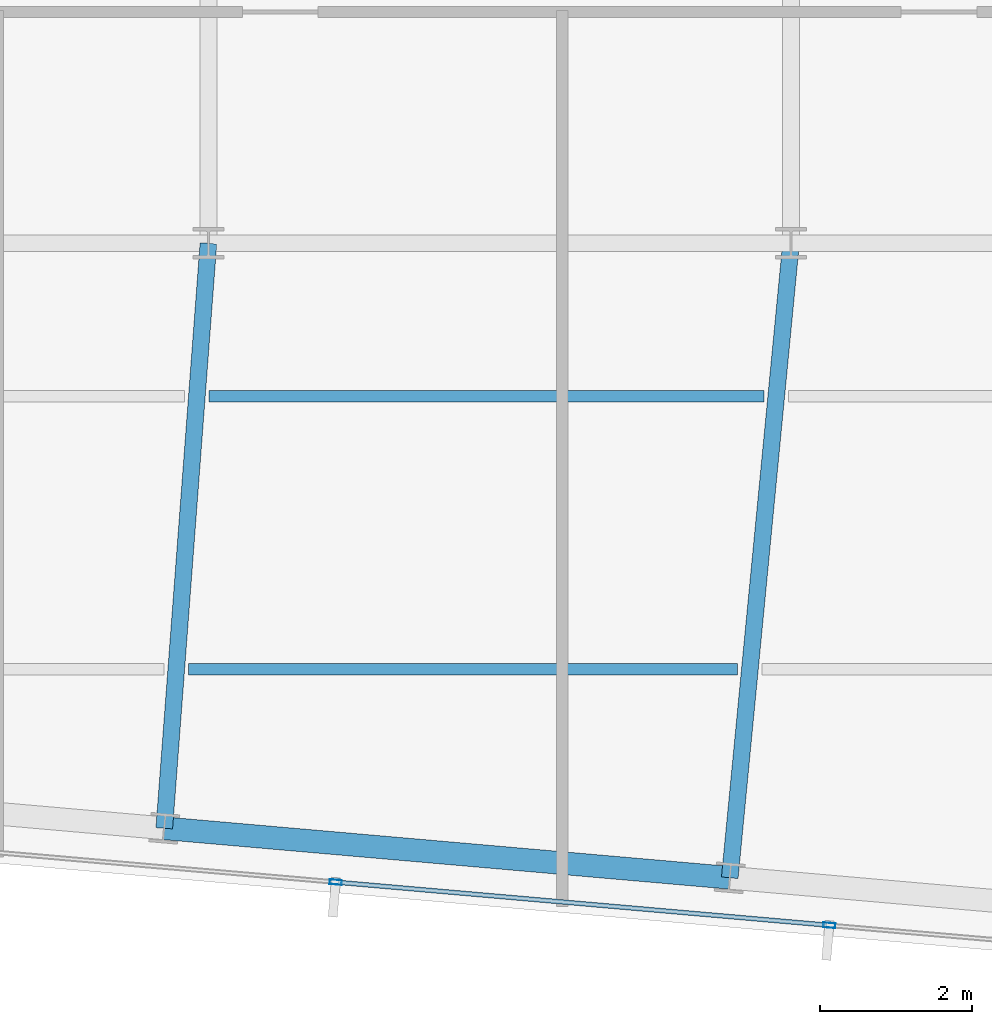
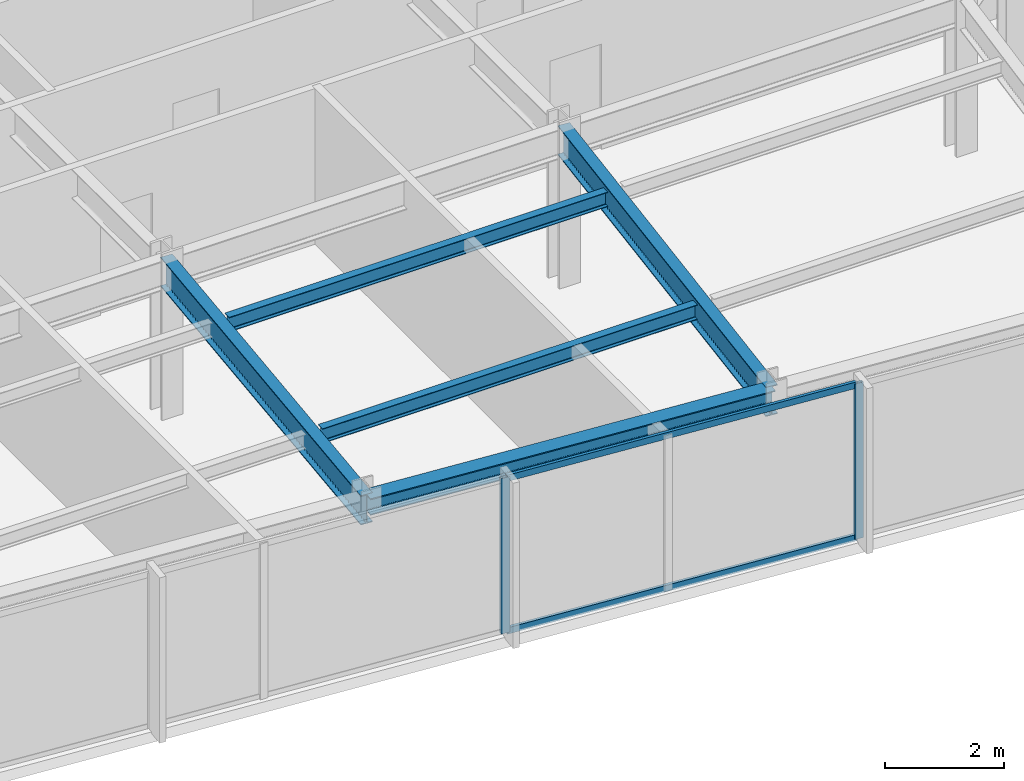
# One storey, part 13 of 32: 5 beams, 4 members, 1 element without a shape of its own.
"""IFC4 building model written with IfcOpenShell, lengths in metres."""

from ifc_helpers import new_model, si_unit, direction, frame, origin, origin_2d, place, context, subcontext, project, spatial, hollow_rectangle, i_section, extrude, material, material_profile, profile_set, type_object, element, aggregate, save


model = new_model("IFC4")

# Units and contexts
model_context = context("Model", 3, precision=1e-05, world=origin(), true_north=direction((0.0, 1.0)))
body_context = subcontext(model_context, "Body", "Model", "MODEL_VIEW")
ifc_project = project(units=[si_unit("LENGTHUNIT", "METRE"), si_unit("AREAUNIT", "SQUARE_METRE"), si_unit("VOLUMEUNIT", "CUBIC_METRE"), si_unit("PLANEANGLEUNIT", "RADIAN"), si_unit("MASSUNIT", "GRAM", prefix="KILO")], contexts=[model_context])

# Site, building, storey
site_placement = place(None, origin())
site = spatial("IfcSite", under=ifc_project, at=site_placement, CompositionType="ELEMENT")
building_placement = place(site_placement, origin())
building = spatial("IfcBuilding", under=site, at=building_placement, Name="Yelkora Congress Tower", CompositionType="ELEMENT")
storey_placement = place(building_placement, frame((0.0, 0.0, 265.89990234375)))
storey = spatial("IfcBuildingStorey", under=building, at=storey_placement, Name="L74", CompositionType="ELEMENT", Elevation=265.89990234375)

# Beams
ifc_material_1 = material(Name="Steel S355J2", Category="steel")
ifc_material_profile_1 = material_profile(ifc_material_1, i_section(OverallWidth=0.219970703125, OverallDepth=0.60009765625, WebThickness=0.011962890625, FlangeThickness=0.01904296875, FilletRadius=0.02392578125, at=origin_2d()), Name="IPE 600")
ifc_profile_set_1 = profile_set([ifc_material_profile_1], Name="Steel S355J2")
beam_type_1 = type_object("IfcBeamType", Name="BM-GIRD-IPE600", PredefinedType="BEAM", material=ifc_profile_set_1)
beam_1_placement = place(storey_placement, frame((37.8173828125, 17.489013671875, 2.880126953125), z_axis=(0.075329932006, 0.997158664077, 0.0), x_axis=(-0.997158664077, 0.075329932006, 0.0)))
element("IfcBeam", 1, at=beam_1_placement, inside=storey, type_object=beam_type_1, Name="L74 Primary Frame Girder S05", PredefinedType="BEAM", context=body_context, shape_type="SweptSolid", body=[
    extrude(i_section(OverallWidth=0.219970703125, OverallDepth=0.60009765625, WebThickness=0.011962890625, FlangeThickness=0.01904296875, FilletRadius=0.02392578125, at=origin_2d()), origin(), (0.0, 0.0, 1.0), 7.73291015625),
])
beam_2_placement = place(storey_placement, frame((45.2724609375, 16.836669921875, 2.880126953125), z_axis=(0.096119896563, 0.995369763196, 0.0), x_axis=(-0.995369763196, 0.096119896563, 0.0)))
element("IfcBeam", 2, at=beam_2_placement, inside=storey, type_object=beam_type_1, Name="L74 Primary Frame Girder S06", PredefinedType="BEAM", context=body_context, shape_type="SweptSolid", body=[
    extrude(i_section(OverallWidth=0.219970703125, OverallDepth=0.60009765625, WebThickness=0.011962890625, FlangeThickness=0.01904296875, FilletRadius=0.02392578125, at=origin_2d()), origin(), (0.0, 0.0, 1.0), 8.402099609375),
])
ifc_material_profile_2 = material_profile(ifc_material_1, i_section(OverallWidth=0.14990234375, OverallDepth=0.300048828125, WebThickness=0.007080078125, FlangeThickness=0.0107421875, FilletRadius=0.014892578125, at=origin_2d()), Name="IPE 300")
ifc_profile_set_2 = profile_set([ifc_material_profile_2], Name="Steel S355J2")
beam_type_2 = type_object("IfcBeamType", Name="BM-JOIST-IPE300", PredefinedType="JOIST", material=ifc_profile_set_2)
beam_3_placement = place(storey_placement, frame((38.1357421875, 19.58447265625, 3.030029296875), z_axis=(1.0, 0.0, 0.0), x_axis=(0.0, 1.0, 0.0)))
element("IfcBeam", 3, at=beam_3_placement, inside=storey, type_object=beam_type_2, Name="L74 Composite Floor Joist 3", PredefinedType="JOIST", context=body_context, shape_type="SweptSolid", body=[
    extrude(i_section(OverallWidth=0.14990234375, OverallDepth=0.300048828125, WebThickness=0.007080078125, FlangeThickness=0.0107421875, FilletRadius=0.014892578125, at=origin_2d()), origin(), (0.0, 0.0, 1.0), 7.241943359375),
])
beam_4_placement = place(storey_placement, frame((38.40771484375, 23.1845703125, 3.030029296875), z_axis=(1.0, 0.0, 0.0), x_axis=(0.0, 1.0, 0.0)))
element("IfcBeam", 4, at=beam_4_placement, inside=storey, type_object=beam_type_2, Name="L74 Composite Floor Joist 7", PredefinedType="JOIST", context=body_context, shape_type="SweptSolid", body=[
    extrude(i_section(OverallWidth=0.14990234375, OverallDepth=0.300048828125, WebThickness=0.007080078125, FlangeThickness=0.0107421875, FilletRadius=0.014892578125, at=origin_2d()), origin(), (0.0, 0.0, 1.0), 7.317626953125),
])
ifc_material_profile_3 = material_profile(ifc_material_1, i_section(OverallWidth=0.300048828125, OverallDepth=0.340087890625, WebThickness=0.011962890625, FlangeThickness=0.021484375, FilletRadius=0.027099609375, at=origin_2d()), Name="HEB 340")
ifc_profile_set_3 = profile_set([ifc_material_profile_3], Name="Steel S355J2")
beam_type_3 = type_object("IfcBeamType", Name="BM-SPAN-HEB340", PredefinedType="SPANDREL", material=ifc_profile_set_3)
beam_5_placement = place(storey_placement, frame((37.8173828125, 17.489013671875, 3.010009765625), z_axis=(0.996193434204, -0.08717018785, 0.0), x_axis=(0.08717018785, 0.996193434204, 0.0)))
element("IfcBeam", 5, at=beam_5_placement, inside=storey, type_object=beam_type_3, Name="L74 Perimeter Beam 5", PredefinedType="SPANDREL", context=body_context, shape_type="SweptSolid", body=[
    extrude(i_section(OverallWidth=0.300048828125, OverallDepth=0.340087890625, WebThickness=0.011962890625, FlangeThickness=0.021484375, FilletRadius=0.027099609375, at=origin_2d()), origin(), (0.0, 0.0, 1.0), 7.483642578125),
])

# Curtain wall, members
ifc_material_2 = material(Name="Anodised aluminium and insulated glass", Category="aluminium")
curtain_wall_type = type_object("IfcCurtainWallType", Name="CW-SYS-B5", PredefinedType="NOTDEFINED", material=ifc_material_2)
curtain_wall_placement = place(storey_placement, origin())
curtain_wall = element("IfcCurtainWall", 6, at=curtain_wall_placement, inside=storey, type_object=curtain_wall_type, Name="L74 Unitised Curtain Wall 20", PredefinedType="NOTDEFINED")
ifc_material_3 = material(Name="Anodised aluminium 6063-T6", Category="aluminium")
ifc_material_profile_4 = material_profile(ifc_material_3, hollow_rectangle(XDim=0.06494140625, YDim=0.159912109375, WallThickness=0.00390625, at=origin_2d()), Name="ALU 65x160x4")
ifc_profile_set_4 = profile_set([ifc_material_profile_4], Name="Anodised aluminium 6063-T6")
member_type_1 = type_object("IfcMemberType", Name="MEM-ML-B5", PredefinedType="MULLION", material=ifc_profile_set_4)
member_1_placement = place(storey_placement, frame((46.58447265625, 16.2099609375, 0.0), z_axis=(0.0, 0.0, 1.0), x_axis=(-0.087156829793, -0.996194602987, 0.0)))
member_1 = element("IfcMember", 7, at=member_1_placement, type_object=member_type_1, Name="CW-B5 mullion 2", PredefinedType="MULLION", context=body_context, shape_type="SweptSolid", body=[
    extrude(hollow_rectangle(XDim=0.06494140625, YDim=0.159912109375, WallThickness=0.00390625, at=origin_2d()), origin(), (0.0, 0.0, 1.0), 3.18017578125),
])
member_2_placement = place(storey_placement, frame((40.077880859375, 16.779296875, 0.0), z_axis=(0.0, 0.0, 1.0), x_axis=(-0.087156829793, -0.996194602987, 0.0)))
member_2 = element("IfcMember", 8, at=member_2_placement, type_object=member_type_1, Name="CW-B5 mullion 3", PredefinedType="MULLION", context=body_context, shape_type="SweptSolid", body=[
    extrude(hollow_rectangle(XDim=0.06494140625, YDim=0.159912109375, WallThickness=0.00390625, at=origin_2d()), origin(), (0.0, 0.0, 1.0), 3.18017578125),
])
ifc_material_profile_5 = material_profile(ifc_material_3, hollow_rectangle(XDim=0.06005859375, YDim=0.1298828125, WallThickness=0.00390625, at=origin_2d()), Name="ALU 60x130x4")
ifc_profile_set_5 = profile_set([ifc_material_profile_5], Name="Anodised aluminium 6063-T6")
member_type_2 = type_object("IfcMemberType", Name="MEM-TR-B5", PredefinedType="USERDEFINED", material=ifc_profile_set_5)
member_3_placement = place(storey_placement, frame((46.55224609375, 16.212890625, 0.030029296875), z_axis=(-0.996196257862, 0.087137912649, 0.0), x_axis=(-0.087137912649, -0.996196257862, 0.0)))
member_3 = element("IfcMember", 9, at=member_3_placement, type_object=member_type_2, Name="CW-B5 transom 2.1", ObjectType="TRANSOM", PredefinedType="USERDEFINED", context=body_context, shape_type="SweptSolid", body=[
    extrude(hollow_rectangle(XDim=0.06005859375, YDim=0.1298828125, WallThickness=0.00390625, at=origin_2d()), origin(), (0.0, 0.0, 1.0), 6.466552734375),
])
member_4_placement = place(storey_placement, frame((46.55224609375, 16.212890625, 3.150146484375), z_axis=(-0.996196257862, 0.087137912649, 0.0), x_axis=(-0.087137912649, -0.996196257862, 0.0)))
member_4 = element("IfcMember", 10, at=member_4_placement, type_object=member_type_2, Name="CW-B5 transom 2.2", ObjectType="TRANSOM", PredefinedType="USERDEFINED", context=body_context, shape_type="SweptSolid", body=[
    extrude(hollow_rectangle(XDim=0.06005859375, YDim=0.1298828125, WallThickness=0.00390625, at=origin_2d()), origin(), (0.0, 0.0, 1.0), 6.466552734375),
])
aggregate(curtain_wall, [member_1, member_2, member_3, member_4])

save(model, "model.ifc")
